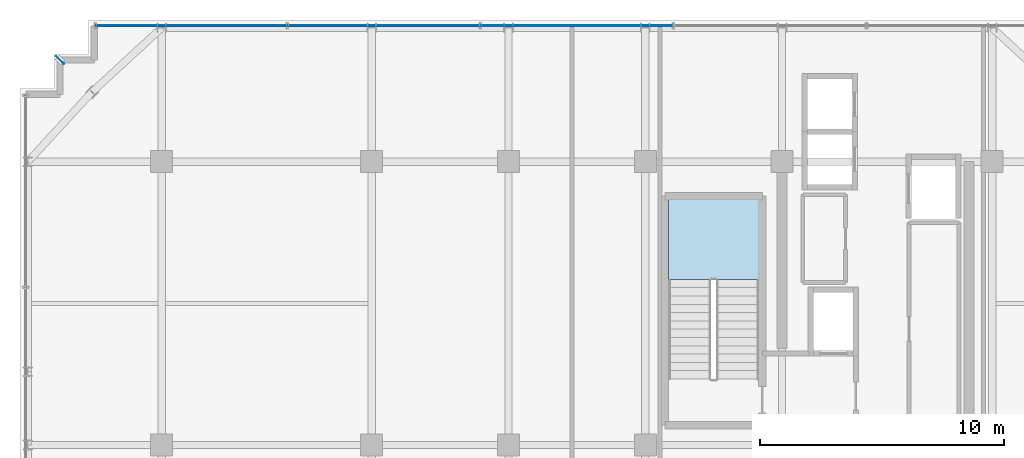
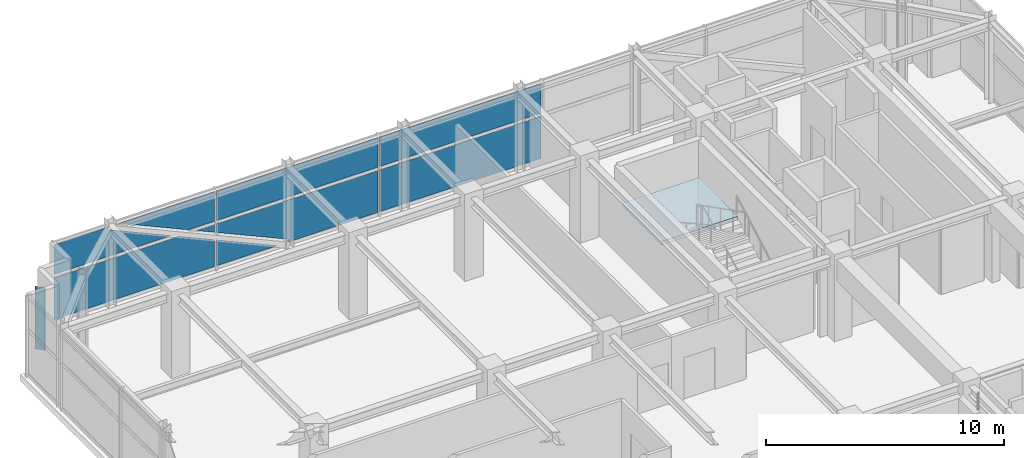
# One storey, part 20 of 26: 7 plates, 1 slab, 2 elements without a shape of their own.
"""IFC4 building model written with IfcOpenShell, lengths in metres."""

from ifc_helpers import new_model, si_unit, direction, frame, origin, origin_2d, place, context, subcontext, project, spatial, polyline, rectangle, outline, extrude, source, transform, mapped, material, layer, layer_set, type_object, element, aggregate, save


model = new_model("IFC4")

# Units and contexts
model_context = context("Model", 3, precision=1e-05, world=origin(), true_north=direction((0.0, 1.0)))
body_context = subcontext(model_context, "Body", "Model", "MODEL_VIEW")
ifc_project = project(units=[si_unit("LENGTHUNIT", "METRE"), si_unit("AREAUNIT", "SQUARE_METRE"), si_unit("VOLUMEUNIT", "CUBIC_METRE"), si_unit("PLANEANGLEUNIT", "RADIAN"), si_unit("MASSUNIT", "GRAM", prefix="KILO")], contexts=[model_context])

# Site, building, storey
site_placement = place(None, origin())
site = spatial("IfcSite", under=ifc_project, at=site_placement, CompositionType="ELEMENT")
building_placement = place(site_placement, origin())
building = spatial("IfcBuilding", under=site, at=building_placement, Name="Nahalor Promenade Grand Hotel", CompositionType="ELEMENT")
storey_placement = place(building_placement, frame((0.0, 0.0, 343.050048828125)))
storey = spatial("IfcBuildingStorey", under=building, at=storey_placement, Name="L88", CompositionType="ELEMENT", Elevation=343.050048828125)

# Curtain wall, plates
ifc_material_1 = material(Name="Anodised Bronze Aluminium EN AW-6063 T6", Category="aluminium")
curtain_wall_type = type_object("IfcCurtainWallType", Name="CW5 Sky-Lobby & Observation Panoramic Curtain Wall", PredefinedType="USERDEFINED", material=ifc_material_1)
curtain_wall_placement = place(storey_placement, origin())
curtain_wall = element("IfcCurtainWall", 1, at=curtain_wall_placement, inside=storey, type_object=curtain_wall_type, Name="L88 Curtain Wall CW-L88-N-1", ObjectType="UNITISED_CURTAIN_WALL", PredefinedType="USERDEFINED")
ifc_material_2 = material(Name="Low-E Laminated Solar Glass", Category="glass")
ifc_layer_1 = layer(ifc_material_2, 0.035888671875)
ifc_layer_set_1 = layer_set([ifc_layer_1], Name="Low-E Laminated Solar Glass")
plate_type_1 = type_object("IfcPlateType", Name="CWP5 Observation Acoustic Triple IGU 36mm", PredefinedType="CURTAIN_PANEL", material=ifc_layer_set_1)
plate_1_placement = place(storey_placement, frame((-15.786865234375, 22.56005859375, 0.169921875), z_axis=(0.0, 0.0, 1.0), x_axis=(1.0, 0.0, 0.0)))
plate_1 = element("IfcPlate", 2, at=plate_1_placement, type_object=plate_type_1, Name="CW-L88-N-1 Glazing Panel 0-0", PredefinedType="CURTAIN_PANEL", context=body_context, shape_type="SweptSolid", body=[
    extrude(outline(polyline([(-3.88818359375, 0.0), (3.88818359375, 0.0), (3.88818359375, 1.3623046875), (2.149169921875, 2.14501953125), (-3.88818359375, 2.14501953125), (-3.88818359375, 0.0)])), frame((0.0, 0.01806640625, 0.0), z_axis=(0.0, -1.0, 0.0), x_axis=(1.0, 0.0, 0.0)), (0.0, 0.0, 1.0), 0.035888671875),
    extrude(outline(polyline([(3.88818359375, 1.746337890625), (3.88818359375, 2.14501953125), (3.002197265625, 2.14501953125), (3.88818359375, 1.746337890625)])), frame((0.0, 0.01806640625, 0.0), z_axis=(0.0, -1.0, 0.0), x_axis=(1.0, 0.0, 0.0)), (0.0, 0.0, 1.0), 0.035888671875),
])
plate_2_placement = place(storey_placement, frame((-15.786865234375, 22.56005859375, 2.48486328125), z_axis=(0.0, 0.0, 1.0), x_axis=(1.0, 0.0, 0.0)))
plate_2 = element("IfcPlate", 3, at=plate_2_placement, type_object=plate_type_1, Name="CW-L88-N-1 Glazing Panel 0-1", PredefinedType="CURTAIN_PANEL", context=body_context, shape_type="SweptSolid", body=[
    extrude(outline(polyline([(-3.88818359375, 1.514892578125), (-3.88818359375, 0.0), (1.771484375, 0.0), (-1.307861328125, 1.3857421875), (-1.249755859375, 1.514892578125), (-3.88818359375, 1.514892578125)])), frame((0.0, 0.01806640625, 0.0), z_axis=(0.0, -1.0, 0.0), x_axis=(1.0, 0.0, 0.0)), (0.0, 0.0, 1.0), 0.035888671875),
    extrude(outline(polyline([(3.88818359375, 0.0), (3.88818359375, 1.514892578125), (-0.742431640625, 1.514892578125), (2.624267578125, 0.0), (3.88818359375, 0.0)])), frame((0.0, 0.01806640625, 0.0), z_axis=(0.0, -1.0, 0.0), x_axis=(1.0, 0.0, 0.0)), (0.0, 0.0, 1.0), 0.035888671875),
])
plate_3_placement = place(storey_placement, frame((-7.904052734375, 22.56005859375, 0.169921875), z_axis=(0.0, 0.0, 1.0), x_axis=(1.0, 0.0, 0.0)))
plate_3 = element("IfcPlate", 4, at=plate_3_placement, type_object=plate_type_1, Name="CW-L88-N-1 Glazing Panel 1-0", PredefinedType="CURTAIN_PANEL", context=body_context, shape_type="SweptSolid", body=[
    extrude(outline(polyline([(3.909423828125, 2.14501953125), (-3.909423828125, 2.14501953125), (-3.909423828125, 1.7080078125), (-0.4013671875, 0.12939453125), (-0.45947265625, 0.0), (3.909423828125, 0.0), (3.909423828125, 2.14501953125)])), frame((0.0, 0.01806640625, 0.0), z_axis=(0.0, -1.0, 0.0), x_axis=(1.0, 0.0, 0.0)), (0.0, 0.0, 1.0), 0.035888671875),
    extrude(outline(polyline([(-3.909423828125, 1.32421875), (-3.909423828125, 0.0), (-0.966796875, 0.0), (-3.909423828125, 1.32421875)])), frame((0.0, 0.01806640625, 0.0), z_axis=(0.0, -1.0, 0.0), x_axis=(1.0, 0.0, 0.0)), (0.0, 0.0, 1.0), 0.035888671875),
])

# Stair, slab
ifc_material_3 = material(Name="Concrete B-50 (C40/50)", Category="concrete")
stair_type = type_object("IfcStairType", Name="Stair-ST1", PredefinedType="HALF_TURN_STAIR", material=ifc_material_3)
stair_placement = place(storey_placement, origin())
stair = element("IfcStair", 5, at=stair_placement, inside=storey, type_object=stair_type, Name="L88 ST1", PredefinedType="HALF_TURN_STAIR")
ifc_layer_2 = layer(ifc_material_3, 0.199951171875)
ifc_layer_set_2 = layer_set([ifc_layer_2], Name="Concrete B-50 (C40/50)")
slab_type = type_object("IfcSlabType", Name="Landing-ST1", PredefinedType="LANDING", material=ifc_layer_set_2)
slab_placement = place(storey_placement, frame((0.0, 0.0, 2.050048828125)))
slab = element("IfcSlab", 6, at=slab_placement, type_object=slab_type, Name="ST1 landing 1", PredefinedType="LANDING", context=body_context, shape_type="SweptSolid", body=[
    extrude(outline(polyline([(7.449951171875, 12.179931640625), (7.449951171875, 15.449951171875), (3.75, 15.449951171875), (3.75, 12.179931640625), (7.449951171875, 12.179931640625)])), origin(), (0.0, 0.0, 1.0), 0.199951171875),
])
aggregate(stair, [slab])

# Plate
ifc_layer_3 = layer(ifc_material_1, 0.02001953125)
ifc_layer_set_3 = layer_set([ifc_layer_3], Name="Anodised Bronze Aluminium EN AW-6063 T6")
plate_type_2 = type_object("IfcPlateType", Name="Plate-CornerFin-20", PredefinedType="SHEET", material=ifc_layer_set_3)
shared_shape_1 = source(origin(), body_context, "Body", "SweptSolid", [
    extrude(rectangle(XDim=0.449951171875, YDim=0.02001953125, at=origin_2d()), origin(), (0.0, 0.0, 1.0), 3.199951171875),
])
plate_4_placement = place(storey_placement, frame((-21.159912109375, 21.159912109375, 0.0), z_axis=(0.0, 0.0, 1.0), x_axis=(-0.707106781187, 0.707106781187, 0.0)))
element("IfcPlate", 7, at=plate_4_placement, inside=storey, type_object=plate_type_2, Name="FIN-L88-NW", PredefinedType="SHEET", context=body_context, shape_type="MappedRepresentation", body=[
    mapped(shared_shape_1, transform((0.0, 0.0, 0.0), scale=1.0)),
])

shared_shape_2 = source(origin(), body_context, "Body", "SweptSolid", [
    extrude(rectangle(XDim=7.819091796875, YDim=0.035888671875, at=origin_2d()), origin(), (0.0, 0.0, 1.0), 2.14501953125),
])
plate_5_placement = place(storey_placement, frame((0.0, 22.56005859375, 0.169921875), z_axis=(0.0, 0.0, 1.0), x_axis=(1.0, 0.0, 0.0)))
plate_5 = element("IfcPlate", 8, at=plate_5_placement, type_object=plate_type_1, Name="CW-L88-N-1 Glazing Panel 2-0", PredefinedType="CURTAIN_PANEL", context=body_context, shape_type="MappedRepresentation", body=[
    mapped(shared_shape_2, transform((0.0, 0.0, 0.0), scale=1.0)),
])

shared_shape_3 = source(origin(), body_context, "Body", "SweptSolid", [
    extrude(rectangle(XDim=7.819091796875, YDim=0.035888671875, at=origin_2d()), origin(), (0.0, 0.0, 1.0), 1.514892578125),
])
plate_6_placement = place(storey_placement, frame((-7.904052734375, 22.56005859375, 2.48486328125), z_axis=(0.0, 0.0, 1.0), x_axis=(1.0, 0.0, 0.0)))
plate_6 = element("IfcPlate", 9, at=plate_6_placement, type_object=plate_type_1, Name="CW-L88-N-1 Glazing Panel 1-1", PredefinedType="CURTAIN_PANEL", context=body_context, shape_type="MappedRepresentation", body=[
    mapped(shared_shape_3, transform((0.0, 0.0, 0.0), scale=1.0)),
])

plate_7_placement = place(storey_placement, frame((0.0, 22.56005859375, 2.48486328125), z_axis=(0.0, 0.0, 1.0), x_axis=(1.0, 0.0, 0.0)))
plate_7 = element("IfcPlate", 10, at=plate_7_placement, type_object=plate_type_1, Name="CW-L88-N-1 Glazing Panel 2-1", PredefinedType="CURTAIN_PANEL", context=body_context, shape_type="MappedRepresentation", body=[
    mapped(shared_shape_3, transform((0.0, 0.0, 0.0), scale=1.0)),
])

aggregate(curtain_wall, [plate_1, plate_2, plate_3, plate_6, plate_5, plate_7])

save(model, "model.ifc")
